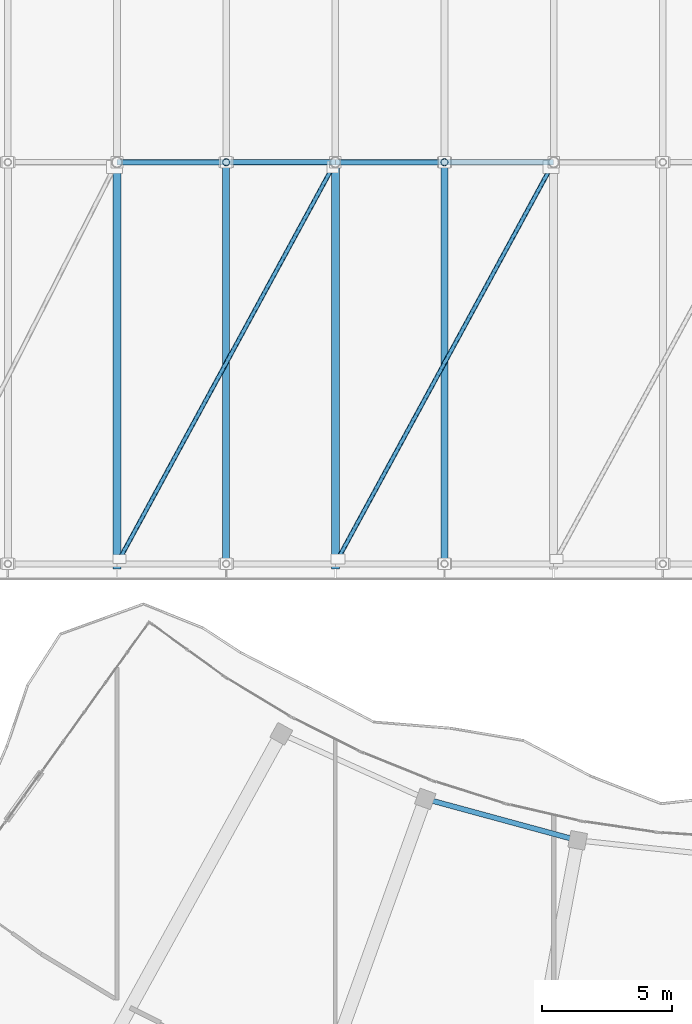
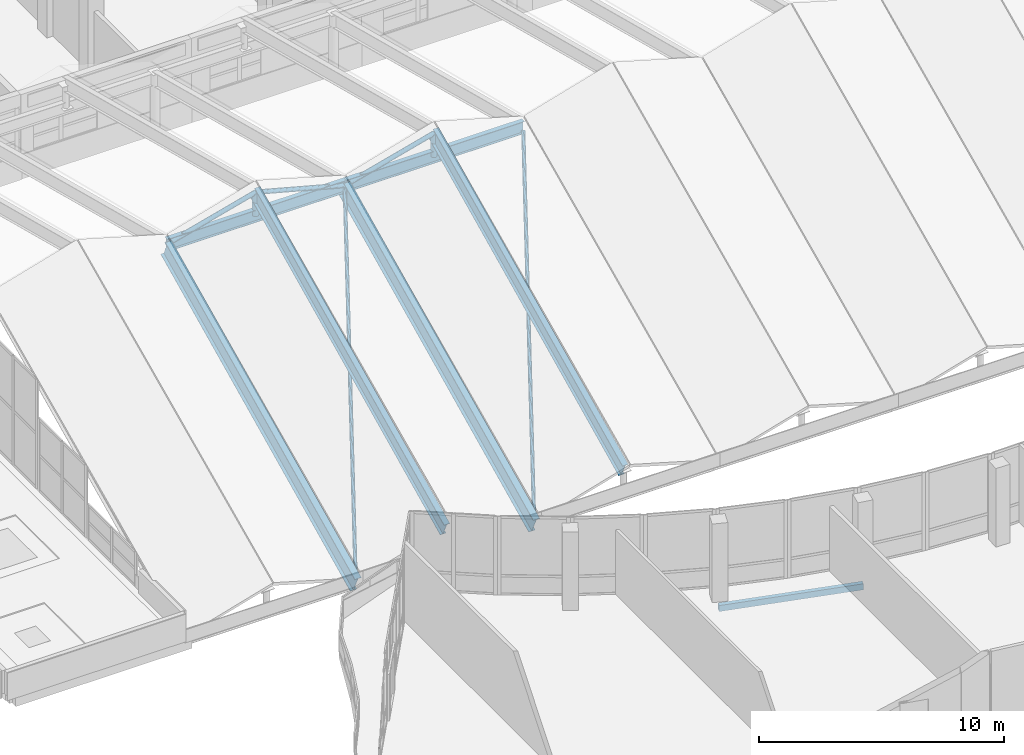
# One storey, part 37 of 184: 7 beams, 7 members.
"""IFC4 building model written with IfcOpenShell, lengths in metres."""

from ifc_helpers import new_model, si_unit, direction, frame, origin, origin_2d, place, context, subcontext, project, spatial, hollow_rectangle, hollow_circle, i_section, extrude, material, material_profile, profile_set, type_object, element, save


model = new_model("IFC4")

# Units and contexts
model_context = context("Model", 3, precision=1e-05, world=origin(), true_north=direction((0.0, 1.0)))
body_context = subcontext(model_context, "Body", "Model", "MODEL_VIEW")
ifc_project = project(units=[si_unit("LENGTHUNIT", "METRE"), si_unit("AREAUNIT", "SQUARE_METRE"), si_unit("VOLUMEUNIT", "CUBIC_METRE"), si_unit("PLANEANGLEUNIT", "RADIAN"), si_unit("MASSUNIT", "GRAM", prefix="KILO")], contexts=[model_context])

# Site, building, storey
site_placement = place(None, origin())
site = spatial("IfcSite", under=ifc_project, at=site_placement, CompositionType="ELEMENT")
building_placement = place(site_placement, origin())
building = spatial("IfcBuilding", under=site, at=building_placement, Name="Selatvlak General Hospital", CompositionType="ELEMENT")
storey_placement = place(building_placement, frame((0.0, 0.0, 15.0)))
storey = spatial("IfcBuildingStorey", under=building, at=storey_placement, Name="L03", CompositionType="ELEMENT", Elevation=15.0)

# Beams
ifc_material = material(Name="Steel S355", Category="steel")
ifc_material_profile_1 = material_profile(ifc_material, i_section(OverallWidth=0.30419921875, OverallDepth=0.910400390625, WebThickness=0.015869140625, FlangeThickness=0.02392578125, at=origin_2d()), Name="UB 914x305x224")
ifc_profile_set_1 = profile_set([ifc_material_profile_1], Name="Steel S355")
beam_type_1 = type_object("IfcBeamType", Name="BM-RF1", PredefinedType="BEAM", material=ifc_profile_set_1)
for number, where, z_axis, x_axis, name in (
    (1, (31.199951171875, 52.550048828125, -0.679931640625), (0.0, 0.901888793553, 0.431968290577), (-1.0, 0.0, 0.0), "Folded roof south rafter 3"),
    (2, (39.60009765625, 52.550048828125, -0.679931640625), (0.0, 0.901888793553, 0.431968290577), (-1.0, 0.0, 0.0), "Folded roof south rafter 5"),
):
    element("IfcBeam", number, at=place(storey_placement, frame(where, z_axis=z_axis, x_axis=x_axis)), inside=storey, type_object=beam_type_1, Name=name, PredefinedType="BEAM", context=body_context, shape_type="SweptSolid", body=[
        extrude(i_section(OverallWidth=0.30419921875, OverallDepth=0.910400390625, WebThickness=0.015869140625, FlangeThickness=0.02392578125, at=origin_2d()), origin(), (0.0, 0.0, 1.0), 17.130615234375),
    ])
ifc_material_profile_2 = material_profile(ifc_material, i_section(OverallWidth=0.2666015625, OverallDepth=0.76220703125, WebThickness=0.014404296875, FlangeThickness=0.021484375, at=origin_2d()), Name="UB 762x267x173")
ifc_profile_set_2 = profile_set([ifc_material_profile_2], Name="Steel S355")
beam_type_2 = type_object("IfcBeamType", Name="BM-RF2", PredefinedType="BEAM", material=ifc_profile_set_2)
for number, where, z_axis, x_axis, name in (
    (3, (35.39990234375, 52.550048828125, 0.593994140625), (0.0, 0.901888793553, 0.431968290577), (-1.0, 0.0, 0.0), "Folded roof south rafter 4"),
    (4, (43.800048828125, 52.550048828125, 0.593994140625), (0.0, 0.901888793553, 0.431968290577), (-1.0, 0.0, 0.0), "Folded roof south rafter 6"),
):
    element("IfcBeam", number, at=place(storey_placement, frame(where, z_axis=z_axis, x_axis=x_axis)), inside=storey, type_object=beam_type_2, Name=name, PredefinedType="BEAM", context=body_context, shape_type="SweptSolid", body=[
        extrude(i_section(OverallWidth=0.2666015625, OverallDepth=0.76220703125, WebThickness=0.014404296875, FlangeThickness=0.021484375, at=origin_2d()), origin(), (0.0, 0.0, 1.0), 17.130615234375),
    ])
ifc_material_profile_3 = material_profile(ifc_material, i_section(OverallWidth=0.228271484375, OverallDepth=0.607666015625, WebThickness=0.010986328125, FlangeThickness=0.017333984375, at=origin_2d()), Name="UB 610x229x113")
ifc_profile_set_3 = profile_set([ifc_material_profile_3], Name="Steel S355")
beam_type_3 = type_object("IfcBeamType", Name="BM-RF4", PredefinedType="BEAM", material=ifc_profile_set_3)
beam_1_placement = place(storey_placement, frame((31.199951171875, 68.0, 6.87109375), z_axis=(1.0, 0.0, 0.0), x_axis=(0.0, 1.0, 0.0)))
element("IfcBeam", 5, at=beam_1_placement, inside=storey, type_object=beam_type_3, Name="Folded roof SP valley girder 2", PredefinedType="BEAM", context=body_context, shape_type="SweptSolid", body=[
    extrude(i_section(OverallWidth=0.228271484375, OverallDepth=0.607666015625, WebThickness=0.010986328125, FlangeThickness=0.017333984375, at=origin_2d()), origin(), (0.0, 0.0, 1.0), 8.400146484375),
])
beam_2_placement = place(storey_placement, frame((39.60009765625, 68.0, 6.87109375), z_axis=(1.0, 0.0, 0.0), x_axis=(0.0, 1.0, 0.0)))
element("IfcBeam", 6, at=beam_2_placement, inside=storey, type_object=beam_type_3, Name="Folded roof SP valley girder 3", PredefinedType="BEAM", context=body_context, shape_type="SweptSolid", body=[
    extrude(i_section(OverallWidth=0.228271484375, OverallDepth=0.607666015625, WebThickness=0.010986328125, FlangeThickness=0.017333984375, at=origin_2d()), origin(), (0.0, 0.0, 1.0), 8.39990234375),
])
ifc_material_profile_4 = material_profile(ifc_material, hollow_rectangle(XDim=0.199951171875, YDim=0.300048828125, WallThickness=0.011962890625, at=origin_2d()), Name="RHS 300x200x12")
ifc_profile_set_4 = profile_set([ifc_material_profile_4], Name="Steel S355")
beam_type_4 = type_object("IfcBeamType", Name="BM-SP3", PredefinedType="SPANDREL", material=ifc_profile_set_4)
beam_3_placement = place(storey_placement, frame((43.05908203125, 43.506103515625, -0.489990234375), z_axis=(0.9649036472, -0.262604172892, 0.0), x_axis=(0.262604172892, 0.9649036472, 0.0)))
element("IfcBeam", 7, at=beam_3_placement, inside=storey, type_object=beam_type_4, Name="Beam BMR-L03-1477", PredefinedType="SPANDREL", context=body_context, shape_type="SweptSolid", body=[
    extrude(hollow_rectangle(XDim=0.199951171875, YDim=0.300048828125, WallThickness=0.011962890625, at=origin_2d()), origin(), (0.0, 0.0, 1.0), 6.078369140625),
])

# Members
ifc_material_profile_5 = material_profile(ifc_material, hollow_circle(Radius=0.109619140625, WallThickness=0.008056640625, at=origin_2d()), Name="CHS 219.1x8")
ifc_profile_set_5 = profile_set([ifc_material_profile_5], Name="Steel S355")
member_type_1 = type_object("IfcMemberType", Name="MEM-BR1", PredefinedType="BRACE", material=ifc_profile_set_5)
member_1_placement = place(storey_placement, frame((31.199951171875, 68.0, 6.87109375), z_axis=(0.966073502135, 0.0, 0.258267281074), x_axis=(0.0, 1.0, 0.0)))
element("IfcMember", 8, at=member_1_placement, inside=storey, type_object=member_type_1, Name="Folded roof V-brace SP-3L", PredefinedType="BRACE", context=body_context, shape_type="SweptSolid", body=[
    extrude(hollow_circle(Radius=0.109619140625, WallThickness=0.008056640625, at=origin_2d()), origin(), (0.0, 0.0, 1.0), 4.347412109375),
])
member_2_placement = place(storey_placement, frame((39.60009765625, 68.0, 6.87109375), z_axis=(-0.966077247631, 0.0, 0.258253270278), x_axis=(0.0, -1.0, 0.0)))
element("IfcMember", 9, at=member_2_placement, inside=storey, type_object=member_type_1, Name="Folded roof V-brace SP-3R", PredefinedType="BRACE", context=body_context, shape_type="SweptSolid", body=[
    extrude(hollow_circle(Radius=0.109619140625, WallThickness=0.008056640625, at=origin_2d()), origin(), (0.0, 0.0, 1.0), 4.34765625),
])
member_3_placement = place(storey_placement, frame((39.60009765625, 68.0, 6.87109375), z_axis=(0.966073502135, 0.0, 0.258267281074), x_axis=(0.0, 1.0, 0.0)))
element("IfcMember", 10, at=member_3_placement, inside=storey, type_object=member_type_1, Name="Folded roof V-brace SP-5L", PredefinedType="BRACE", context=body_context, shape_type="SweptSolid", body=[
    extrude(hollow_circle(Radius=0.109619140625, WallThickness=0.008056640625, at=origin_2d()), origin(), (0.0, 0.0, 1.0), 4.347412109375),
])
ifc_material_profile_6 = material_profile(ifc_material, hollow_circle(Radius=0.084228515625, WallThickness=0.00634765625, at=origin_2d()), Name="CHS 168.3x6.3")
ifc_profile_set_6 = profile_set([ifc_material_profile_6], Name="Steel S355")
member_type_2 = type_object("IfcMemberType", Name="MEM-BR2", PredefinedType="BRACE", material=ifc_profile_set_6)
for number, where, z_axis, x_axis, name in (
    (11, (31.301025390625, 52.736083984375, -0.43994140625), (0.440278245962, 0.809766347789, 0.387857613205), (-0.87853899331, 0.477670636771, 0.0), "Folded roof wind diagonal 2"),
    (12, (39.700927734375, 52.736083984375, -0.43994140625), (0.440278245962, 0.809766347789, 0.387857613205), (-0.87853899331, 0.477670636771, 0.0), "Folded roof wind diagonal 3"),
):
    element("IfcMember", number, at=place(storey_placement, frame(where, z_axis=z_axis, x_axis=x_axis)), inside=storey, type_object=member_type_2, Name=name, PredefinedType="BRACE", context=body_context, shape_type="SweptSolid", body=[
        extrude(hollow_circle(Radius=0.084228515625, WallThickness=0.00634765625, at=origin_2d()), origin(), (0.0, 0.0, 1.0), 18.6201171875),
    ])
ifc_material_profile_7 = material_profile(ifc_material, hollow_circle(Radius=0.136474609375, WallThickness=0.010009765625, at=origin_2d()), Name="CHS 273.0x10")
ifc_profile_set_7 = profile_set([ifc_material_profile_7], Name="Steel S355")
member_type_3 = type_object("IfcMemberType", Name="MEM-ST1", PredefinedType="STRUT", material=ifc_profile_set_7)
for number, where, z_axis, x_axis, name in (
    (13, (35.39990234375, 68.0, 6.87109375), (0.0, 0.0, 1.0), (1.0, 0.0, 0.0), "Folded roof ridge kingpost SP-3"),
    (14, (43.800048828125, 68.0, 6.87109375), (0.0, 0.0, 1.0), (1.0, 0.0, 0.0), "Folded roof ridge kingpost SP-5"),
):
    element("IfcMember", number, at=place(storey_placement, frame(where, z_axis=z_axis, x_axis=x_axis)), inside=storey, type_object=member_type_3, Name=name, PredefinedType="STRUT", context=body_context, shape_type="SweptSolid", body=[
        extrude(hollow_circle(Radius=0.136474609375, WallThickness=0.010009765625, at=origin_2d()), origin(), (0.0, 0.0, 1.0), 1.122802734375),
    ])

save(model, "model.ifc")
